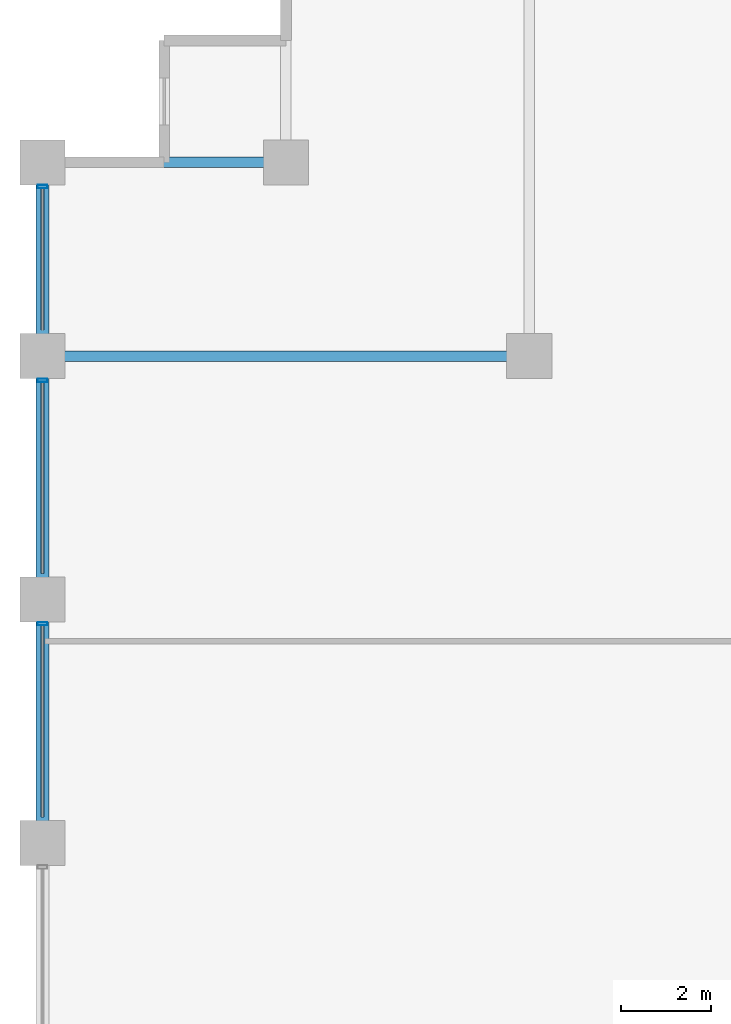
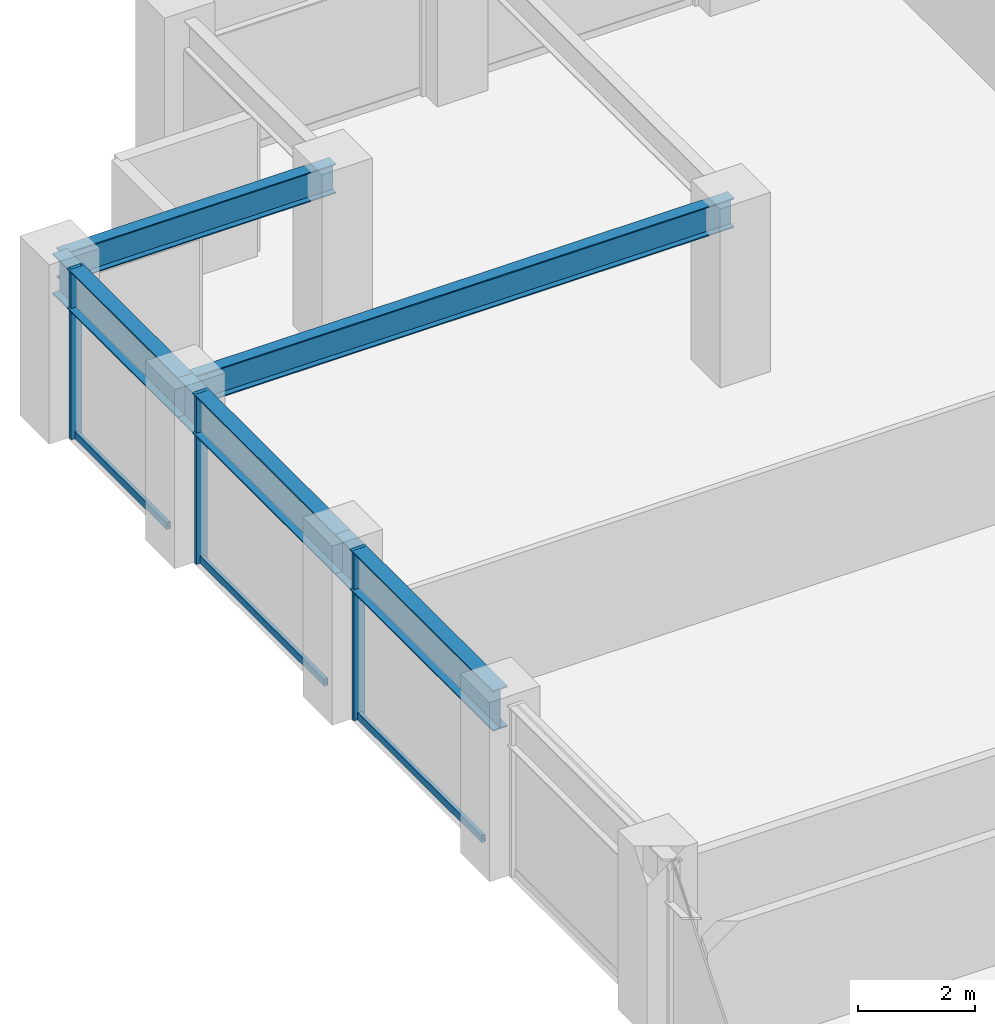
# One storey, part 10 of 23: 6 members, 5 beams, 1 element without a shape of its own.
"""IFC4 building model written with IfcOpenShell, lengths in metres."""

import ifcopenshell
import ifcopenshell.guid

model = None  # the IFC model being written
_history = None  # IfcOwnerHistory: only IFC2X3 demands one
_inside = {}  # id of a spatial element -> (the spatial element, [elements in it])
_under = {}  # id of a project, library or spatial element -> (it, [spatial elements below it])
_declared = {}  # id of a project -> (the project, [libraries it declares])
_typed = {}  # id of a type object -> (the type object, [elements of that type])
_made_of = {}  # id of a material, layer set ... -> (it, [elements and type objects made of it])


def new_model(schema):
    """Start an empty IFC model of exactly this schema.

    Asked for "IFC4X3", IfcOpenShell would pick the latest addendum, in which some entities
    have other attributes; the version numbers below select the first issue.
    IFC2X3 requires an IfcOwnerHistory on every rooted entity: one is made here for all.
    """
    global model, _history
    if schema == "IFC4X3":
        model = ifcopenshell.file(schema_version=(4, 3, 0, 0))
    else:
        model = ifcopenshell.file(schema=schema)
    _inside.clear()
    _under.clear()
    _declared.clear()
    _typed.clear()
    _made_of.clear()
    _history = None
    if model.schema == "IFC2X3":
        org = make("IfcOrganization", Name="unknown")
        user = make(
            "IfcPersonAndOrganization",
            ThePerson=make("IfcPerson", FamilyName="unknown"),
            TheOrganization=org,
        )
        app = make(
            "IfcApplication",
            ApplicationDeveloper=org,
            Version="unknown",
            ApplicationFullName="unknown",
            ApplicationIdentifier="unknown",
        )
        _history = make(
            "IfcOwnerHistory",
            OwningUser=user,
            OwningApplication=app,
            ChangeAction="ADDED",
            CreationDate=0,
        )
    return model


def make(cls, **values):
    """One entity of the class cls with the attributes given. An attribute that is None is left unset."""
    return model.create_entity(
        cls, **{name: value for name, value in values.items() if value is not None}
    )


def rooted(cls, **values):
    """An entity with a GlobalId (a new one), such as an element, a storey or a relation."""
    return make(cls, GlobalId=ifcopenshell.guid.new(), OwnerHistory=_history, **values)


def si_unit(unit_type, name, prefix=None):
    """IfcSIUnit, for example si_unit("LENGTHUNIT", "METRE", prefix="MILLI")."""
    return make("IfcSIUnit", UnitType=unit_type, Prefix=prefix, Name=name)


def assignment(units):
    """IfcUnitAssignment: the units of a project."""
    return None if units is None else make("IfcUnitAssignment", Units=units)


def point(xyz):
    """IfcCartesianPoint."""
    return None if xyz is None else make("IfcCartesianPoint", Coordinates=xyz)


def direction(xyz):
    """IfcDirection."""
    return None if xyz is None else make("IfcDirection", DirectionRatios=xyz)


def frame(location, z_axis=None, x_axis=None):
    """IfcAxis2Placement3D, a coordinate frame: its origin and axes. An axis left out is left unset."""
    return make(
        "IfcAxis2Placement3D",
        Location=point(location),
        Axis=direction(z_axis),
        RefDirection=direction(x_axis),
    )


def frame_2d(location, x_axis=None):
    """IfcAxis2Placement2D, a coordinate frame in the plane: its origin and x axis."""
    return make(
        "IfcAxis2Placement2D", Location=point(location), RefDirection=direction(x_axis)
    )


def origin():
    """The frame at (0, 0, 0) with its axes left unset."""
    return frame((0.0, 0.0, 0.0))


def origin_2d():
    """The frame at (0, 0) in the plane with its x axis left unset."""
    return frame_2d((0.0, 0.0))


def place(relative_to, where):
    """IfcLocalPlacement: puts the frame where relative to a parent placement (None: the world)."""
    return make(
        "IfcLocalPlacement", PlacementRelTo=relative_to, RelativePlacement=where
    )


def context(
    kind, dimensions, precision=None, world=None, true_north=None, identifier=None
):
    """IfcGeometricRepresentationContext, for example the 3D "Model" context."""
    return make(
        "IfcGeometricRepresentationContext",
        ContextIdentifier=identifier,
        ContextType=kind,
        CoordinateSpaceDimension=dimensions,
        Precision=precision,
        WorldCoordinateSystem=world,
        TrueNorth=true_north,
    )


def subcontext(parent, identifier, kind, view, scale=None):
    """IfcGeometricRepresentationSubContext, for example "Body" below "Model"."""
    return make(
        "IfcGeometricRepresentationSubContext",
        ContextIdentifier=identifier,
        ContextType=kind,
        ParentContext=parent,
        TargetScale=scale,
        TargetView=view,
    )


def project(units=None, contexts=None):
    """IfcProject with its units and contexts."""
    return rooted(
        "IfcProject",
        Name="project",
        RepresentationContexts=contexts,
        UnitsInContext=assignment(units),
    )


def spatial(cls, under=None, at=None, **own):
    """A site, building, storey or space (cls), placed at a placement, below another one or the project."""
    s = rooted(cls, ObjectPlacement=at, **own)
    if under is not None:
        _under.setdefault(under.id(), (under, []))[1].append(s)
    return s


def profile(cls, at=None, kind="AREA", **sizes):
    """A parametric profile (cls). Its sizes go by their IFC names, for example OverallWidth=200.0."""
    return make(cls, ProfileType=kind, Position=at, **sizes)


def hollow_rectangle(**sizes):
    """IfcRectangleHollowProfileDef."""
    return profile("IfcRectangleHollowProfileDef", **sizes)


def i_section(**sizes):
    """IfcIShapeProfileDef."""
    return profile("IfcIShapeProfileDef", **sizes)


def extrude(swept, where, along, depth):
    """IfcExtrudedAreaSolid: the profile swept, set in the frame where, extruded along a direction by depth."""
    return make(
        "IfcExtrudedAreaSolid",
        SweptArea=swept,
        Position=where,
        ExtrudedDirection=direction(along),
        Depth=depth,
    )


def shape(context_of_items, identifier, shape_type, items):
    """IfcShapeRepresentation: the items that make up one representation, for example the "Body"."""
    return make(
        "IfcShapeRepresentation",
        ContextOfItems=context_of_items,
        RepresentationIdentifier=identifier,
        RepresentationType=shape_type,
        Items=items,
    )


def material(Name=None, Category=None):
    """IfcMaterial."""
    return make("IfcMaterial", Name=Name, Category=Category)


def layer(
    of_material, thickness, ventilated=None, Name=None, Category=None, Priority=None
):
    """IfcMaterialLayer: one layer of a wall or slab, of a material (None: an air gap)."""
    return make(
        "IfcMaterialLayer",
        Material=of_material,
        LayerThickness=thickness,
        IsVentilated=ventilated,
        Name=Name,
        Category=Category,
        Priority=Priority,
    )


def layer_set(layers, Name=None):
    """IfcMaterialLayerSet."""
    return make("IfcMaterialLayerSet", MaterialLayers=layers, LayerSetName=Name)


def material_profile(
    of_material, cross_section, Name=None, Category=None, Priority=None
):
    """IfcMaterialProfile: a cross section and its material."""
    return make(
        "IfcMaterialProfile",
        Name=Name,
        Material=of_material,
        Profile=cross_section,
        Priority=Priority,
        Category=Category,
    )


def profile_set(profiles, Name=None, composite=None):
    """IfcMaterialProfileSet."""
    return make(
        "IfcMaterialProfileSet",
        Name=Name,
        MaterialProfiles=profiles,
        CompositeProfile=composite,
    )


def made_of(thing, what):
    """Note that an element or type object is made of a material, layer set ...; save() writes the relation."""
    if what is not None:
        _made_of.setdefault(what.id(), (what, []))[1].append(thing)
    return thing


def type_object(cls, material=None, **own):
    """A type object (cls), such as IfcWallType, which elements share."""
    return made_of(rooted(cls, **own), material)


def element(
    cls,
    number,
    at=None,
    inside=None,
    cuts=None,
    type_object=None,
    material=None,
    context=None,
    identifier="Body",
    shape_type=None,
    held_by="IfcProductDefinitionShape",
    body=None,
    shapes=None,
    **own,
):
    """One element of the class cls, such as IfcWall. Its Tag is "e" and its number.

    at: its placement. inside: the storey or other place that contains it. cuts: it is an
    opening in that element (IfcRelVoidsElement). A single representation is given by context,
    identifier, shape_type and body (its items); several are given by shapes. held_by: the class
    of the entity that holds the representations. save() writes the other relations.
    """
    e = rooted(cls, Tag="e%d" % number, ObjectPlacement=at, **own)
    if body is not None:
        shapes = [shape(context, identifier, shape_type, body)]
    if shapes is not None:
        e.Representation = make(held_by, Representations=shapes)
    if inside is not None:
        _inside.setdefault(inside.id(), (inside, []))[1].append(e)
    if cuts is not None:
        rooted(
            "IfcRelVoidsElement", RelatingBuildingElement=cuts, RelatedOpeningElement=e
        )
    if type_object is not None:
        _typed.setdefault(type_object.id(), (type_object, []))[1].append(e)
    return made_of(e, material)


def aggregate(whole, parts):
    """IfcRelAggregates: a whole, such as a stair, and the parts it consists of."""
    return rooted("IfcRelAggregates", RelatingObject=whole, RelatedObjects=parts)


def save(model, path):
    """Write the relations noted so far, then the file.

    IfcRelAggregates (storeys below a building ...), IfcRelContainedInSpatialStructure (elements
    in a storey), IfcRelDefinesByType, IfcRelAssociatesMaterial and IfcRelDeclares: one each for
    every whole, place, type object, material and project.
    """
    for whole, parts in _under.values():
        aggregate(whole, parts)
    for where, things in _inside.values():
        rooted(
            "IfcRelContainedInSpatialStructure",
            RelatedElements=things,
            RelatingStructure=where,
        )
    for kind, things in _typed.values():
        rooted("IfcRelDefinesByType", RelatedObjects=things, RelatingType=kind)
    for what, things in _made_of.values():
        rooted("IfcRelAssociatesMaterial", RelatedObjects=things, RelatingMaterial=what)
    for by, libraries in _declared.values():
        rooted("IfcRelDeclares", RelatingContext=by, RelatedDefinitions=libraries)
    model.write(path)


model = new_model("IFC4")

# Units and contexts
model_context = context("Model", 3, precision=1e-05, world=origin(), true_north=direction((0.0, 1.0)))
body_context = subcontext(model_context, "Body", "Model", "MODEL_VIEW")
ifc_project = project(units=[si_unit("LENGTHUNIT", "METRE"), si_unit("AREAUNIT", "SQUARE_METRE"), si_unit("VOLUMEUNIT", "CUBIC_METRE"), si_unit("PLANEANGLEUNIT", "RADIAN"), si_unit("MASSUNIT", "GRAM", prefix="KILO")], contexts=[model_context])

# Site, building, storey
site_placement = place(None, origin())
site = spatial("IfcSite", under=ifc_project, at=site_placement, CompositionType="ELEMENT")
building_placement = place(site_placement, origin())
building = spatial("IfcBuilding", under=site, at=building_placement, Name="Surkhivell Harbour Commons", CompositionType="ELEMENT")
storey_placement = place(building_placement, frame((0.0, 0.0, 132.0)))
storey = spatial("IfcBuildingStorey", under=building, at=storey_placement, Name="L34", CompositionType="ELEMENT", Elevation=132.0)

# Beams
ifc_material_1 = material(Name="Steel S355", Category="steel")
ifc_material_profile_1 = material_profile(ifc_material_1, i_section(OverallWidth=0.22998046875, OverallDepth=0.616943359375, WebThickness=0.01318359375, FlangeThickness=0.022216796875, at=origin_2d()), Name="UB610x229x140")
ifc_profile_set_1 = profile_set([ifc_material_profile_1], Name="Steel S355")
beam_type_1 = type_object("IfcBeamType", Name="BM-GRD-610B", PredefinedType="BEAM", material=ifc_profile_set_1)
beam_1_placement = place(storey_placement, frame((-32.39990234375, 16.199951171875, 3.261474609375), z_axis=(1.0, 0.0, 0.0), x_axis=(0.0, 1.0, 0.0)))
element("IfcBeam", 1, at=beam_1_placement, inside=storey, type_object=beam_type_1, Name="L34 Floor Girder (-32.4,16.2)", PredefinedType="BEAM", context=body_context, shape_type="SweptSolid", body=[
    extrude(i_section(OverallWidth=0.22998046875, OverallDepth=0.616943359375, WebThickness=0.01318359375, FlangeThickness=0.022216796875, at=origin_2d()), origin(), (0.0, 0.0, 1.0), 10.7998046875),
])
beam_2_placement = place(storey_placement, frame((-32.39990234375, 20.5, 3.261474609375), z_axis=(1.0, 0.0, 0.0), x_axis=(0.0, 1.0, 0.0)))
element("IfcBeam", 2, at=beam_2_placement, inside=storey, type_object=beam_type_1, Name="L34 Floor Girder (-32.4,20.5)", PredefinedType="BEAM", context=body_context, shape_type="SweptSolid", body=[
    extrude(i_section(OverallWidth=0.22998046875, OverallDepth=0.616943359375, WebThickness=0.01318359375, FlangeThickness=0.022216796875, at=origin_2d()), origin(), (0.0, 0.0, 1.0), 5.39990234375),
])
ifc_material_2 = material(Name="Steel S460", Category="steel")
ifc_material_profile_2 = material_profile(ifc_material_2, i_section(OverallWidth=0.2939453125, OverallDepth=0.85107421875, WebThickness=0.01611328125, FlangeThickness=0.02685546875, at=origin_2d()), Name="UB838x292x226")
ifc_profile_set_2 = profile_set([ifc_material_profile_2], Name="Steel S460")
beam_type_2 = type_object("IfcBeamType", Name="BM-SPN-838", PredefinedType="SPANDREL", material=ifc_profile_set_2)
beam_3_placement = place(storey_placement, frame((-32.39990234375, 5.39990234375, 3.14453125), z_axis=(0.0, 1.0, 0.0), x_axis=(-1.0, 0.0, 0.0)))
element("IfcBeam", 3, at=beam_3_placement, inside=storey, type_object=beam_type_2, Name="L34 Tube Spandrel (-32.4,5.4)", PredefinedType="SPANDREL", context=body_context, shape_type="SweptSolid", body=[
    extrude(i_section(OverallWidth=0.2939453125, OverallDepth=0.85107421875, WebThickness=0.01611328125, FlangeThickness=0.02685546875, at=origin_2d()), origin(), (0.0, 0.0, 1.0), 5.400146484375),
])
beam_4_placement = place(storey_placement, frame((-32.39990234375, 10.800048828125, 3.14453125), z_axis=(0.0, 1.0, 0.0), x_axis=(-1.0, 0.0, 0.0)))
element("IfcBeam", 4, at=beam_4_placement, inside=storey, type_object=beam_type_2, Name="L34 Tube Spandrel (-32.4,10.8)", PredefinedType="SPANDREL", context=body_context, shape_type="SweptSolid", body=[
    extrude(i_section(OverallWidth=0.2939453125, OverallDepth=0.85107421875, WebThickness=0.01611328125, FlangeThickness=0.02685546875, at=origin_2d()), origin(), (0.0, 0.0, 1.0), 5.39990234375),
])
beam_5_placement = place(storey_placement, frame((-32.39990234375, 16.199951171875, 3.14453125), z_axis=(0.0, 1.0, 0.0), x_axis=(-1.0, 0.0, 0.0)))
element("IfcBeam", 5, at=beam_5_placement, inside=storey, type_object=beam_type_2, Name="L34 Tube Spandrel (-32.4,16.2)", PredefinedType="SPANDREL", context=body_context, shape_type="SweptSolid", body=[
    extrude(i_section(OverallWidth=0.2939453125, OverallDepth=0.85107421875, WebThickness=0.01611328125, FlangeThickness=0.02685546875, at=origin_2d()), origin(), (0.0, 0.0, 1.0), 4.300048828125),
])

# Curtain wall, members
ifc_material_3 = material(Name="Anodised pale-metal aluminium and insulated glazing", Category="aluminium")
ifc_layer = layer(ifc_material_3, 0.205078125)
ifc_layer_set = layer_set([ifc_layer], Name="Anodised pale-metal aluminium and insulated glazing")
curtain_wall_type = type_object("IfcCurtainWallType", Name="CW-SYS-Z2", PredefinedType="NOTDEFINED", material=ifc_layer_set)
curtain_wall_placement = place(storey_placement, origin())
curtain_wall = element("IfcCurtainWall", 6, at=curtain_wall_placement, inside=storey, type_object=curtain_wall_type, Name="L34 Curtain Wall CW-L34-E12S1", PredefinedType="NOTDEFINED")
ifc_material_4 = material(Name="Anodised pale-metal aluminium alloy 6063-T6", Category="aluminium")
ifc_material_profile_3 = material_profile(ifc_material_4, hollow_rectangle(XDim=0.074951171875, YDim=0.219970703125, WallThickness=0.00390625, at=origin_2d()), Name="ALU-MULL-75x220")
ifc_profile_set_3 = profile_set([ifc_material_profile_3], Name="Anodised pale-metal aluminium alloy 6063-T6")
member_type_1 = type_object("IfcMemberType", Name="CWM-220", PredefinedType="MULLION", material=ifc_profile_set_3)
member_1_placement = place(storey_placement, frame((-32.39990234375, 19.96044921875, 0.0), z_axis=(0.0, 0.0, 1.0), x_axis=(0.0, -1.0, 0.0)))
member_1 = element("IfcMember", 7, at=member_1_placement, type_object=member_type_1, Name="CW-Z2 mullion 1", PredefinedType="MULLION", context=body_context, shape_type="SweptSolid", body=[
    extrude(hollow_rectangle(XDim=0.074951171875, YDim=0.219970703125, WallThickness=0.00390625, at=origin_2d()), origin(), (0.0, 0.0, 1.0), 3.570068359375),
])
member_2_placement = place(storey_placement, frame((-32.39990234375, 15.660400390625, 0.0), z_axis=(0.0, 0.0, 1.0), x_axis=(0.0, -1.0, 0.0)))
member_2 = element("IfcMember", 8, at=member_2_placement, type_object=member_type_1, Name="CW-Z2 mullion 2", PredefinedType="MULLION", context=body_context, shape_type="SweptSolid", body=[
    extrude(hollow_rectangle(XDim=0.074951171875, YDim=0.219970703125, WallThickness=0.00390625, at=origin_2d()), origin(), (0.0, 0.0, 1.0), 3.570068359375),
])
member_3_placement = place(storey_placement, frame((-32.39990234375, 10.260498046875, 0.0), z_axis=(0.0, 0.0, 1.0), x_axis=(0.0, -1.0, 0.0)))
member_3 = element("IfcMember", 9, at=member_3_placement, type_object=member_type_1, Name="CW-Z2 mullion 3", PredefinedType="MULLION", context=body_context, shape_type="SweptSolid", body=[
    extrude(hollow_rectangle(XDim=0.074951171875, YDim=0.219970703125, WallThickness=0.00390625, at=origin_2d()), origin(), (0.0, 0.0, 1.0), 3.570068359375),
])
ifc_material_profile_4 = material_profile(ifc_material_4, hollow_rectangle(XDim=0.074951171875, YDim=0.14990234375, WallThickness=0.00341796875, at=origin_2d()), Name="ALU-TRAN-75x150")
ifc_profile_set_4 = profile_set([ifc_material_profile_4], Name="Anodised pale-metal aluminium alloy 6063-T6")
member_type_2 = type_object("IfcMemberType", Name="CWT-150", PredefinedType="USERDEFINED", material=ifc_profile_set_4)
member_4_placement = place(storey_placement, frame((-32.39990234375, 19.923095703125, 0.074951171875), z_axis=(0.0, -1.0, 0.0), x_axis=(1.0, 0.0, 0.0)))
member_4 = element("IfcMember", 10, at=member_4_placement, type_object=member_type_2, Name="CW-Z2 transom 1.1", ObjectType="TRANSOM", PredefinedType="USERDEFINED", context=body_context, shape_type="SweptSolid", body=[
    extrude(hollow_rectangle(XDim=0.074951171875, YDim=0.14990234375, WallThickness=0.00341796875, at=origin_2d()), origin(), (0.0, 0.0, 1.0), 3.14599609375),
])
member_5_placement = place(storey_placement, frame((-32.39990234375, 15.623046875, 0.074951171875), z_axis=(0.0, -1.0, 0.0), x_axis=(1.0, 0.0, 0.0)))
member_5 = element("IfcMember", 11, at=member_5_placement, type_object=member_type_2, Name="CW-Z2 transom 2.1", ObjectType="TRANSOM", PredefinedType="USERDEFINED", context=body_context, shape_type="SweptSolid", body=[
    extrude(hollow_rectangle(XDim=0.074951171875, YDim=0.14990234375, WallThickness=0.00341796875, at=origin_2d()), origin(), (0.0, 0.0, 1.0), 4.24609375),
])
member_6_placement = place(storey_placement, frame((-32.39990234375, 10.222900390625, 0.074951171875), z_axis=(0.0, -1.0, 0.0), x_axis=(1.0, 0.0, 0.0)))
member_6 = element("IfcMember", 12, at=member_6_placement, type_object=member_type_2, Name="CW-Z2 transom 3.1", ObjectType="TRANSOM", PredefinedType="USERDEFINED", context=body_context, shape_type="SweptSolid", body=[
    extrude(hollow_rectangle(XDim=0.074951171875, YDim=0.14990234375, WallThickness=0.00341796875, at=origin_2d()), origin(), (0.0, 0.0, 1.0), 4.245849609375),
])
aggregate(curtain_wall, [member_1, member_4, member_2, member_5, member_3, member_6])

save(model, "model.ifc")
